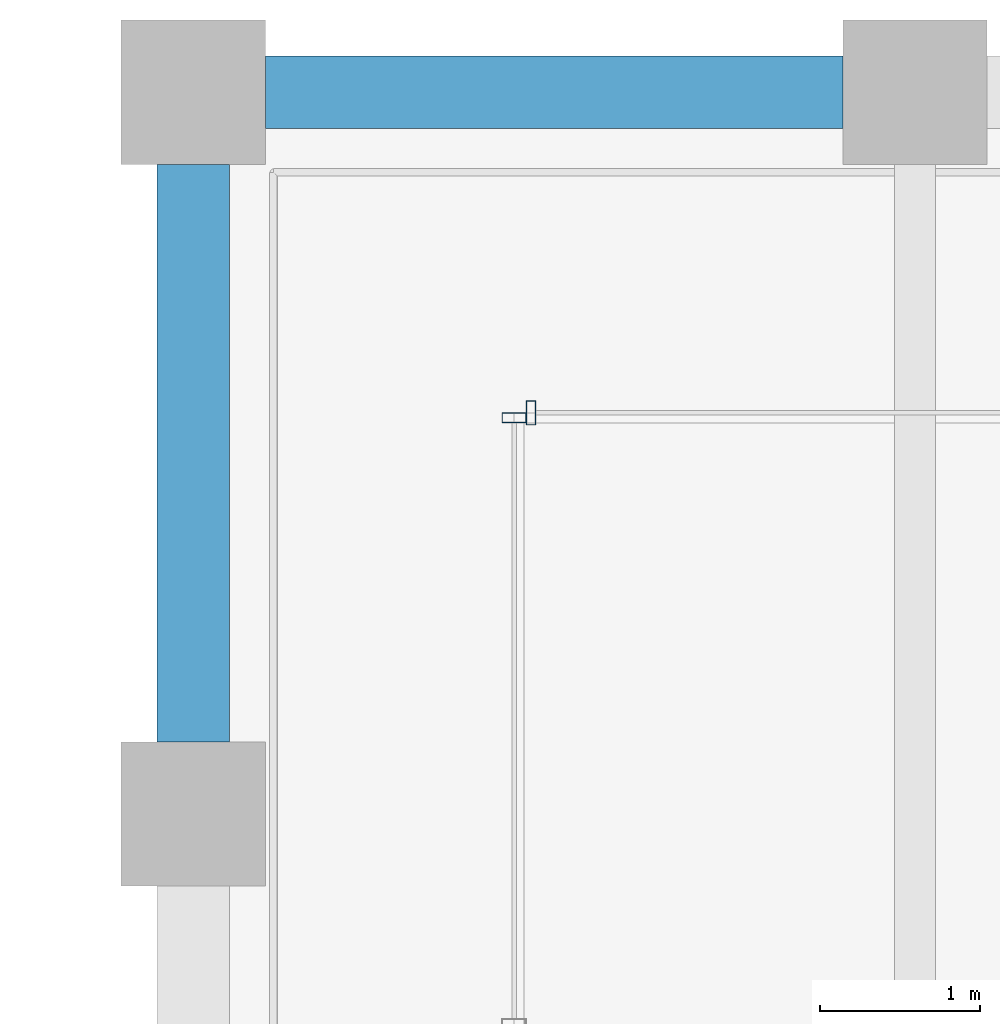
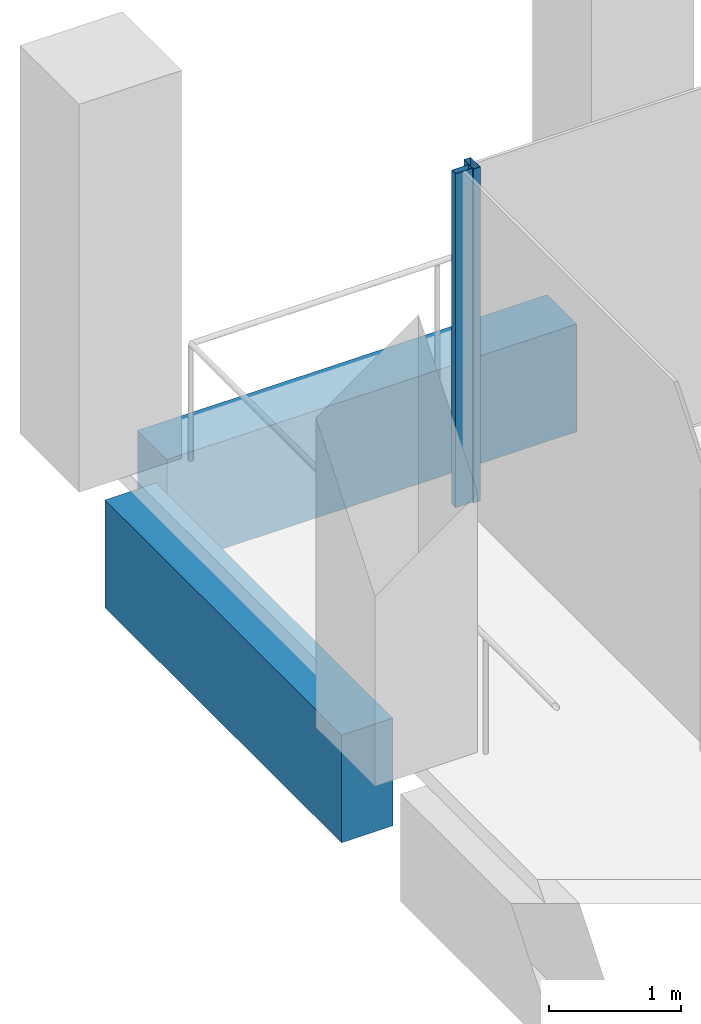
# One storey, part 21 of 40: 2 beams, 2 members, 2 elements without a shape of their own.
"""IFC4 building model written with IfcOpenShell, lengths in metres."""

from ifc_helpers import new_model, si_unit, direction, frame, origin, origin_2d, place, context, subcontext, project, spatial, rectangle, hollow_rectangle, extrude, material, material_profile, profile_set, type_object, element, aggregate, save


model = new_model("IFC4")

# Units and contexts
model_context = context("Model", 3, precision=1e-05, world=origin(), true_north=direction((0.0, 1.0)))
body_context = subcontext(model_context, "Body", "Model", "MODEL_VIEW")
ifc_project = project(units=[si_unit("LENGTHUNIT", "METRE"), si_unit("AREAUNIT", "SQUARE_METRE"), si_unit("VOLUMEUNIT", "CUBIC_METRE"), si_unit("PLANEANGLEUNIT", "RADIAN"), si_unit("MASSUNIT", "GRAM", prefix="KILO")], contexts=[model_context])

# Site, building, storey
site_placement = place(None, origin())
site = spatial("IfcSite", under=ifc_project, at=site_placement, CompositionType="ELEMENT")
building_placement = place(site_placement, origin())
building = spatial("IfcBuilding", under=site, at=building_placement, Name="Altepetl Exchange Towers", CompositionType="ELEMENT")
storey_placement = place(building_placement, frame((0.0, 0.0, 187.0)))
storey = spatial("IfcBuildingStorey", under=building, at=storey_placement, Name="L47", CompositionType="ELEMENT", Elevation=187.0)

# Curtain wall, member
ifc_material_1 = material(Name="Aluminium 6063-T6 glazing", Category="aluminium")
curtain_wall_type = type_object("IfcCurtainWallType", Name="Loggia glazing system", PredefinedType="NOTDEFINED", material=ifc_material_1)
curtain_wall_1_placement = place(storey_placement, origin())
curtain_wall_1 = element("IfcCurtainWall", 1, at=curtain_wall_1_placement, inside=storey, type_object=curtain_wall_type, Name="CW1 run", PredefinedType="NOTDEFINED")
ifc_material_2 = material(Name="Aluminium 6063-T6", Category="aluminium")
ifc_material_profile_1 = material_profile(ifc_material_2, hollow_rectangle(XDim=0.06005859375, YDim=0.14990234375, WallThickness=0.0029296875, at=origin_2d()), Name="Mullion 60x150 aluminium")
ifc_profile_set_1 = profile_set([ifc_material_profile_1], Name="Aluminium 6063-T6")
member_type = type_object("IfcMemberType", Name="Mullion 60x150 aluminium", PredefinedType="MULLION", material=ifc_profile_set_1)
member_1_placement = place(storey_placement, frame((42.60498046875, 70.0, 0.0), z_axis=(0.0, 0.0, 1.0), x_axis=(-1.0, 0.0, 0.0)))
member_1 = element("IfcMember", 2, at=member_1_placement, type_object=member_type, Name="MU1 mullion", PredefinedType="MULLION", context=body_context, shape_type="SweptSolid", body=[
    extrude(hollow_rectangle(XDim=0.06005859375, YDim=0.14990234375, WallThickness=0.0029296875, at=origin_2d()), origin(), (0.0, 0.0, 1.0), 3.10009765625),
])
aggregate(curtain_wall_1, [member_1])

curtain_wall_2_placement = place(storey_placement, origin())
curtain_wall_2 = element("IfcCurtainWall", 3, at=curtain_wall_2_placement, inside=storey, type_object=curtain_wall_type, Name="CW1 run", PredefinedType="NOTDEFINED")
member_2_placement = place(storey_placement, frame((42.5, 69.969970703125, 0.0), z_axis=(0.0, 0.0, 1.0), x_axis=(0.0, -1.0, 0.0)))
member_2 = element("IfcMember", 4, at=member_2_placement, type_object=member_type, Name="MU1 mullion", PredefinedType="MULLION", context=body_context, shape_type="SweptSolid", body=[
    extrude(hollow_rectangle(XDim=0.06005859375, YDim=0.14990234375, WallThickness=0.0029296875, at=origin_2d()), origin(), (0.0, 0.0, 1.0), 3.10009765625),
])
aggregate(curtain_wall_2, [member_2])

# Beams
ifc_material_3 = material(Name="Concrete C50/60 precast with cantera rosa facing", Category="concrete")
ifc_material_profile_2 = material_profile(ifc_material_3, rectangle(XDim=0.449951171875, YDim=1.0, at=origin_2d()), Name="450 x 1000")
ifc_profile_set_2 = profile_set([ifc_material_profile_2], Name="Concrete C50/60 precast with cantera rosa facing")
beam_type_1 = type_object("IfcBeamType", Name="Spandrel beam 450x1000 cantera rosa", PredefinedType="SPANDREL", material=ifc_profile_set_2)
beam_1_placement = place(storey_placement, frame((44.550048828125, 72.0, -0.64990234375), z_axis=(-1.0, 0.0, 0.0), x_axis=(0.0, -1.0, 0.0)))
element("IfcBeam", 5, at=beam_1_placement, inside=storey, type_object=beam_type_1, Name="sp:A:L47:029", PredefinedType="SPANDREL", context=body_context, shape_type="SweptSolid", body=[
    extrude(rectangle(XDim=0.449951171875, YDim=1.0, at=origin_2d()), origin(), (0.0, 0.0, 1.0), 3.60009765625),
])
ifc_material_4 = material(Name="Concrete C50/60 precast with tezontle facing", Category="concrete")
ifc_material_profile_3 = material_profile(ifc_material_4, rectangle(XDim=0.449951171875, YDim=1.0, at=origin_2d()), Name="450 x 1000")
ifc_profile_set_3 = profile_set([ifc_material_profile_3], Name="Concrete C50/60 precast with tezontle facing")
beam_type_2 = type_object("IfcBeamType", Name="Spandrel beam 450x1000 tezontle", PredefinedType="SPANDREL", material=ifc_profile_set_3)
beam_2_placement = place(storey_placement, frame((40.5, 71.550048828125, -0.64990234375), z_axis=(0.0, -1.0, 0.0), x_axis=(1.0, 0.0, 0.0)))
element("IfcBeam", 6, at=beam_2_placement, inside=storey, type_object=beam_type_2, Name="sp:A:L47:030", PredefinedType="SPANDREL", context=body_context, shape_type="SweptSolid", body=[
    extrude(rectangle(XDim=0.449951171875, YDim=1.0, at=origin_2d()), origin(), (0.0, 0.0, 1.0), 3.60009765625),
])

save(model, "model.ifc")
